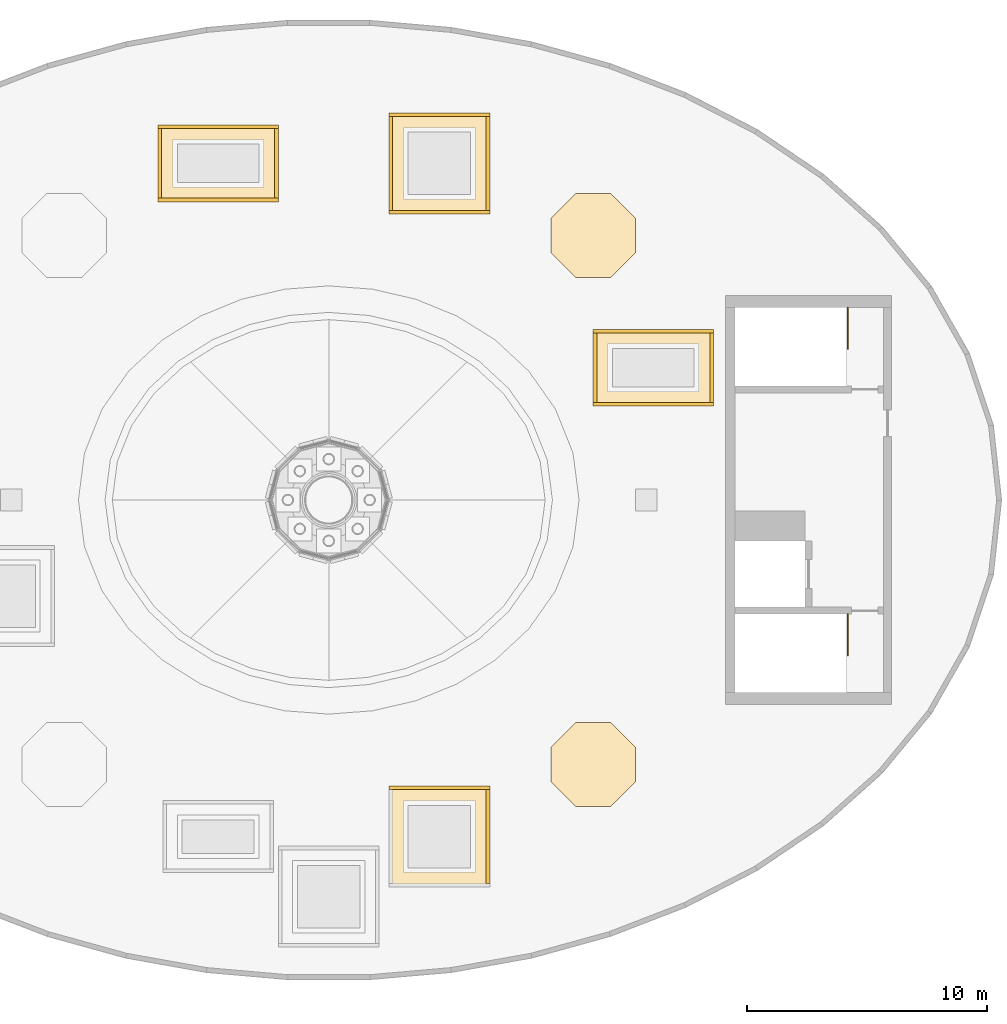
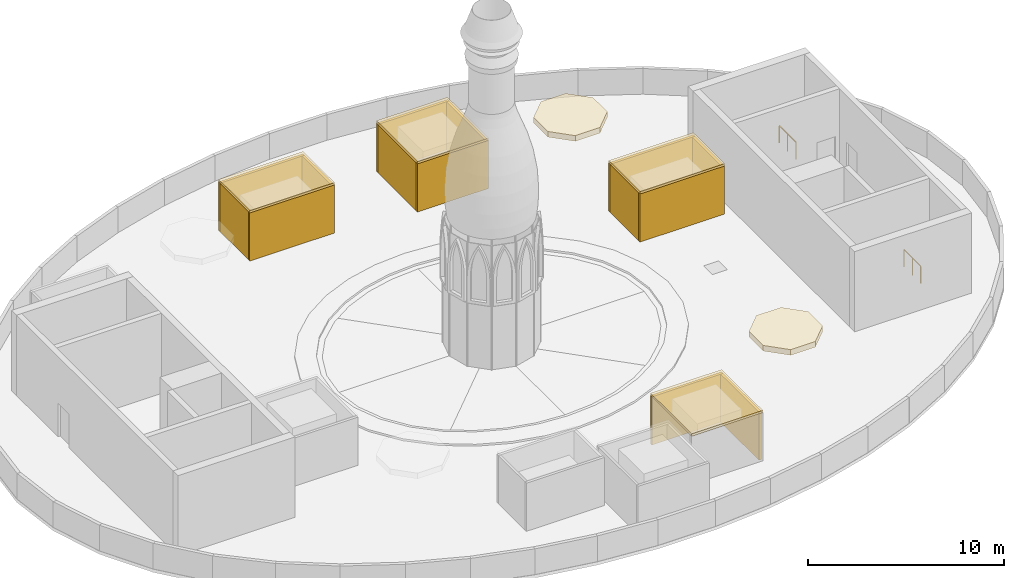
# One storey, part 6 of 7: 20 coverings, 2 railings.
"""IFC4 building model written with IfcOpenShell, lengths in metres."""

from ifc_helpers import new_model, si_unit, direction, frame, origin, origin_2d, place, context, subcontext, project, spatial, polyline, rectangle, outline, extrude, material, layer, layer_set, type_object, element, save


model = new_model("IFC4")

# Units and contexts
model_context = context("Model", 3, precision=1e-05, world=origin(), true_north=direction((0.0, 1.0)))
body_context = subcontext(model_context, "Body", "Model", "MODEL_VIEW")
ifc_project = project(units=[si_unit("LENGTHUNIT", "METRE"), si_unit("AREAUNIT", "SQUARE_METRE"), si_unit("VOLUMEUNIT", "CUBIC_METRE"), si_unit("PLANEANGLEUNIT", "RADIAN"), si_unit("MASSUNIT", "GRAM", prefix="KILO")], contexts=[model_context])

# Site, building, storey
site_placement = place(None, origin())
site = spatial("IfcSite", under=ifc_project, at=site_placement, CompositionType="ELEMENT")
building_placement = place(site_placement, origin())
building = spatial("IfcBuilding", under=site, at=building_placement, Name="Noorbagh Ring Tower", CompositionType="ELEMENT")
storey_placement = place(building_placement, frame((0.0, 0.0, 356.5)))
storey = spatial("IfcBuildingStorey", under=building, at=storey_placement, Name="L78", CompositionType="ELEMENT", Elevation=356.5)

# Railings
ifc_material_1 = material(Name="Stainless steel", Category="steel")
railing_type = type_object("IfcRailingType", Name="CORE-STAIR-GUARD", PredefinedType="GUARDRAIL", material=ifc_material_1)
for number, where, name in (
    (1, (21.580078125, 8.0, 0.0), "L78 ST3 top well guard"),
    (2, (21.580078125, -4.75, 0.0), "L78 ST4 top well guard"),
):
    element("IfcRailing", number, at=place(storey_placement, frame(where)), inside=storey, type_object=railing_type, Name=name, PredefinedType="GUARDRAIL", context=body_context, shape_type="SweptSolid", body=[
        extrude(rectangle(XDim=0.048095703125, YDim=0.048095703125, at=origin_2d()), frame((0.0, 0.0, 1.076171875), z_axis=(0.0, -1.0, 0.0), x_axis=(1.0, 0.0, 0.0)), (0.0, 0.0, 1.0), 1.699951171875),
        extrude(rectangle(XDim=0.0419921875, YDim=0.0419921875, at=origin_2d()), origin(), (0.0, 0.0, 1.0), 1.052001953125),
        extrude(rectangle(XDim=0.0419921875, YDim=0.0419921875, at=origin_2d()), frame((0.0, -0.85009765625, 0.0)), (0.0, 0.0, 1.0), 1.052001953125),
        extrude(rectangle(XDim=0.0419921875, YDim=0.0419921875, at=origin_2d()), frame((0.0, -1.699951171875, 0.0)), (0.0, 0.0, 1.0), 1.052001953125),
    ])

# Coverings
ifc_material_2 = material(Name="Aluminium 6063-T6 black anodised", Category="aluminium")
ifc_layer_1 = layer(ifc_material_2, 0.14990234375)
ifc_layer_set_1 = layer_set([ifc_layer_1], Name="Aluminium 6063-T6 black anodised")
covering_type_1 = type_object("IfcCoveringType", Name="ENV-PLANT-LOUVRE", PredefinedType="CLADDING", material=ifc_layer_set_1)
for number, where, z_axis, x_axis, name in (
    (3, (13.5, 7.02490234375, 0.0), (0.0, 0.0, 1.0), (1.0, 0.0, 0.0), "Louvre screen 1.1"),
    (4, (13.5, 3.97509765625, 0.0), (0.0, 0.0, 1.0), (1.0, 0.0, 0.0), "Louvre screen 1.2"),
):
    element("IfcCovering", number, at=place(storey_placement, frame(where, z_axis=z_axis, x_axis=x_axis)), inside=storey, type_object=covering_type_1, Name=name, ObjectType="LOUVRE", PredefinedType="CLADDING", context=body_context, shape_type="SweptSolid", body=[
        extrude(rectangle(XDim=5.0, YDim=0.14990234375, at=origin_2d()), origin(), (0.0, 0.0, 1.0), 3.0),
    ])
for number, where, z_axis, x_axis, name in (
    (5, (15.925048828125, 5.5, 0.0), (0.0, 0.0, 1.0), (1.0, 0.0, 0.0), "Louvre screen 1.3"),
    (6, (11.074951171875, 5.5, 0.0), (0.0, 0.0, 1.0), (1.0, 0.0, 0.0), "Louvre screen 1.4"),
):
    element("IfcCovering", number, at=place(storey_placement, frame(where, z_axis=z_axis, x_axis=x_axis)), inside=storey, type_object=covering_type_1, Name=name, ObjectType="LOUVRE", PredefinedType="CLADDING", context=body_context, shape_type="SweptSolid", body=[
        extrude(rectangle(XDim=0.14990234375, YDim=2.89990234375, at=origin_2d()), origin(), (0.0, 0.0, 1.0), 3.0),
    ])
for number, where, z_axis, x_axis, name in (
    (7, (-4.60009765625, 15.52490234375, 0.0), (0.0, 0.0, 1.0), (1.0, 0.0, 0.0), "Louvre screen 5.1"),
    (8, (-4.60009765625, 12.47509765625, 0.0), (0.0, 0.0, 1.0), (1.0, 0.0, 0.0), "Louvre screen 5.2"),
):
    element("IfcCovering", number, at=place(storey_placement, frame(where, z_axis=z_axis, x_axis=x_axis)), inside=storey, type_object=covering_type_1, Name=name, ObjectType="LOUVRE", PredefinedType="CLADDING", context=body_context, shape_type="SweptSolid", body=[
        extrude(rectangle(XDim=5.0, YDim=0.14990234375, at=origin_2d()), origin(), (0.0, 0.0, 1.0), 3.0),
    ])
for number, where, z_axis, x_axis, name in (
    (9, (-2.175048828125, 14.0, 0.0), (0.0, 0.0, 1.0), (1.0, 0.0, 0.0), "Louvre screen 5.3"),
    (10, (-7.02490234375, 14.0, 0.0), (0.0, 0.0, 1.0), (1.0, 0.0, 0.0), "Louvre screen 5.4"),
):
    element("IfcCovering", number, at=place(storey_placement, frame(where, z_axis=z_axis, x_axis=x_axis)), inside=storey, type_object=covering_type_1, Name=name, ObjectType="LOUVRE", PredefinedType="CLADDING", context=body_context, shape_type="SweptSolid", body=[
        extrude(rectangle(XDim=0.14990234375, YDim=2.89990234375, at=origin_2d()), origin(), (0.0, 0.0, 1.0), 3.0),
    ])
for number, where, z_axis, x_axis, name in (
    (11, (4.60009765625, 16.02490234375, 0.0), (0.0, 0.0, 1.0), (1.0, 0.0, 0.0), "Louvre screen 6.1"),
    (12, (4.60009765625, 11.97509765625, 0.0), (0.0, 0.0, 1.0), (1.0, 0.0, 0.0), "Louvre screen 6.2"),
):
    element("IfcCovering", number, at=place(storey_placement, frame(where, z_axis=z_axis, x_axis=x_axis)), inside=storey, type_object=covering_type_1, Name=name, ObjectType="LOUVRE", PredefinedType="CLADDING", context=body_context, shape_type="SweptSolid", body=[
        extrude(rectangle(XDim=4.199951171875, YDim=0.14990234375, at=origin_2d()), origin(), (0.0, 0.0, 1.0), 3.0),
    ])
for number, where, z_axis, x_axis, name in (
    (13, (6.625, 14.0, 0.0), (0.0, 0.0, 1.0), (1.0, 0.0, 0.0), "Louvre screen 6.3"),
    (14, (2.574951171875, 14.0, 0.0), (0.0, 0.0, 1.0), (1.0, 0.0, 0.0), "Louvre screen 6.4"),
):
    element("IfcCovering", number, at=place(storey_placement, frame(where, z_axis=z_axis, x_axis=x_axis)), inside=storey, type_object=covering_type_1, Name=name, ObjectType="LOUVRE", PredefinedType="CLADDING", context=body_context, shape_type="SweptSolid", body=[
        extrude(rectangle(XDim=0.14990234375, YDim=3.89990234375, at=origin_2d()), origin(), (0.0, 0.0, 1.0), 3.0),
    ])
covering_1_placement = place(storey_placement, frame((4.60009765625, -11.97509765625, 0.0), z_axis=(0.0, 0.0, 1.0), x_axis=(1.0, 0.0, 0.0)))
element("IfcCovering", 15, at=covering_1_placement, inside=storey, type_object=covering_type_1, Name="Louvre screen 8.1", ObjectType="LOUVRE", PredefinedType="CLADDING", context=body_context, shape_type="SweptSolid", body=[
    extrude(rectangle(XDim=4.199951171875, YDim=0.14990234375, at=origin_2d()), origin(), (0.0, 0.0, 1.0), 3.0),
])
covering_2_placement = place(storey_placement, frame((6.625, -14.0, 0.0), z_axis=(0.0, 0.0, 1.0), x_axis=(1.0, 0.0, 0.0)))
element("IfcCovering", 16, at=covering_2_placement, inside=storey, type_object=covering_type_1, Name="Louvre screen 8.3", ObjectType="LOUVRE", PredefinedType="CLADDING", context=body_context, shape_type="SweptSolid", body=[
    extrude(rectangle(XDim=0.14990234375, YDim=3.89990234375, at=origin_2d()), origin(), (0.0, 0.0, 1.0), 3.0),
])
ifc_material_3 = material(Name="Aluminium 6063-T6 black anodised", Category="aluminium")
ifc_layer_2 = layer(ifc_material_3, 0.14990234375)
ifc_layer_set_2 = layer_set([ifc_layer_2], Name="Aluminium 6063-T6 black anodised")
covering_type_2 = type_object("IfcCoveringType", Name="ENV-PLANT-ROOF", PredefinedType="ROOFING", material=ifc_layer_set_2)
for number, where, z_axis, x_axis, name in (
    (17, (13.5, 5.5, 3.0), (0.0, 0.0, 1.0), (1.0, 0.0, 0.0), "Plant enclosure roof 1"),
    (18, (-4.60009765625, 14.0, 3.0), (0.0, 0.0, 1.0), (1.0, 0.0, 0.0), "Plant enclosure roof 5"),
):
    element("IfcCovering", number, at=place(storey_placement, frame(where, z_axis=z_axis, x_axis=x_axis)), inside=storey, type_object=covering_type_2, Name=name, PredefinedType="ROOFING", context=body_context, shape_type="SweptSolid", body=[
        extrude(rectangle(XDim=5.0, YDim=3.199951171875, at=origin_2d()), origin(), (0.0, 0.0, 1.0), 0.14990234375),
    ])
for number, where, z_axis, x_axis, name in (
    (19, (4.60009765625, 14.0, 3.0), (0.0, 0.0, 1.0), (1.0, 0.0, 0.0), "Plant enclosure roof 6"),
    (20, (4.60009765625, -14.0, 3.0), (0.0, 0.0, 1.0), (1.0, 0.0, 0.0), "Plant enclosure roof 8"),
):
    element("IfcCovering", number, at=place(storey_placement, frame(where, z_axis=z_axis, x_axis=x_axis)), inside=storey, type_object=covering_type_2, Name=name, PredefinedType="ROOFING", context=body_context, shape_type="SweptSolid", body=[
        extrude(rectangle(XDim=4.199951171875, YDim=4.199951171875, at=origin_2d()), origin(), (0.0, 0.0, 1.0), 0.14990234375),
    ])
ifc_material_4 = material(Name="Cream sandstone dome cladding", Category="masonry")
ifc_layer_3 = layer(ifc_material_4, 0.300048828125)
ifc_layer_set_3 = layer_set([ifc_layer_3], Name="Cream sandstone dome cladding")
covering_type_3 = type_object("IfcCoveringType", Name="STYLE-KIOSK-DOME", PredefinedType="ROOFING", material=ifc_layer_set_3)
covering_3_placement = place(storey_placement, frame((0.0, 0.0, 3.300048828125)))
element("IfcCovering", 21, at=covering_3_placement, inside=storey, type_object=covering_type_3, Name="Chhatri dome", PredefinedType="ROOFING", context=body_context, shape_type="SweptSolid", body=[
    extrude(outline(polyline([(12.75537109375, 11.72705078125), (11.72705078125, 12.75537109375), (10.27294921875, 12.75537109375), (9.24462890625, 11.72705078125), (9.24462890625, 10.27294921875), (10.27294921875, 9.24462890625), (11.72705078125, 9.24462890625), (12.75537109375, 10.27294921875), (12.75537109375, 11.72705078125)])), origin(), (0.0, 0.0, 1.0), 0.349853515625),
])
covering_4_placement = place(storey_placement, frame((0.0, 0.0, 3.300048828125)))
element("IfcCovering", 22, at=covering_4_placement, inside=storey, type_object=covering_type_3, Name="Chhatri dome", PredefinedType="ROOFING", context=body_context, shape_type="SweptSolid", body=[
    extrude(outline(polyline([(12.75537109375, -10.27294921875), (11.72705078125, -9.24462890625), (10.27294921875, -9.24462890625), (9.24462890625, -10.27294921875), (9.24462890625, -11.72705078125), (10.27294921875, -12.75537109375), (11.72705078125, -12.75537109375), (12.75537109375, -11.72705078125), (12.75537109375, -10.27294921875)])), origin(), (0.0, 0.0, 1.0), 0.349853515625),
])

save(model, "model.ifc")
